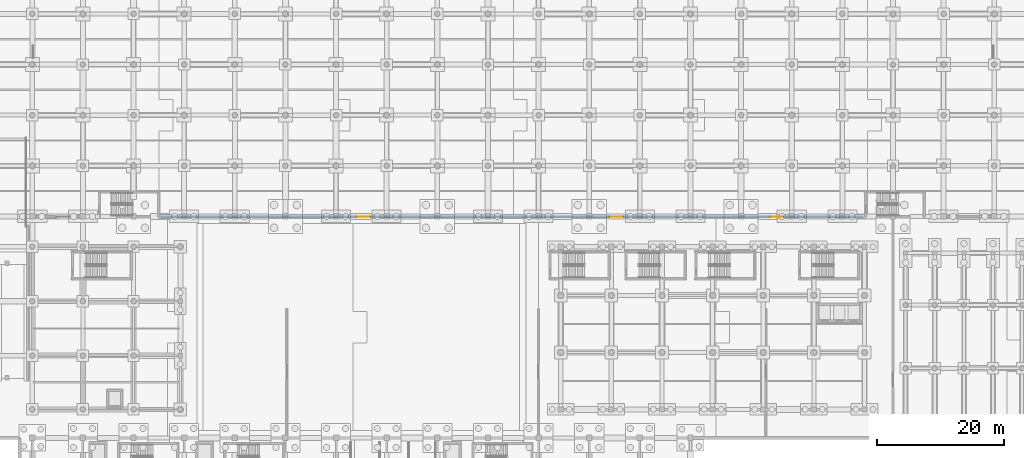
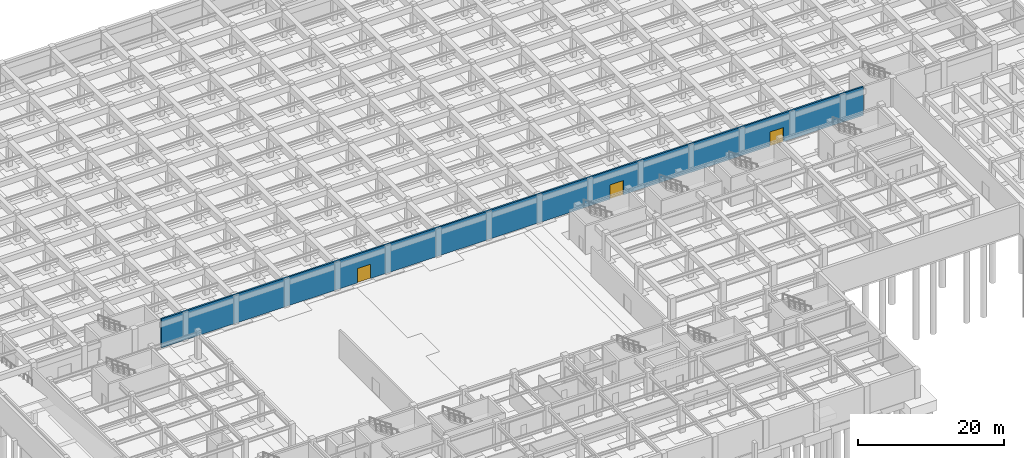
# One storey, part 33 of 48: 3 doors, 1 wall, 3 openings.
"""IFC4 building model written with IfcOpenShell, lengths in metres."""

from ifc_helpers import new_model, si_unit, direction, frame, frame_2d, origin, place, context, subcontext, project, spatial, rectangle, extrude, material, layer, layer_set, type_object, element, fill, save


model = new_model("IFC4")

# Units and contexts
model_context = context("Model", 3, precision=1e-05, world=origin(), true_north=direction((0.0, 1.0)))
body_context = subcontext(model_context, "Body", "Model", "MODEL_VIEW")
ifc_project = project(units=[si_unit("LENGTHUNIT", "METRE"), si_unit("AREAUNIT", "SQUARE_METRE"), si_unit("VOLUMEUNIT", "CUBIC_METRE"), si_unit("PLANEANGLEUNIT", "RADIAN"), si_unit("MASSUNIT", "GRAM", prefix="KILO")], contexts=[model_context])

# Site, building, storey
site_placement = place(None, origin())
site = spatial("IfcSite", under=ifc_project, at=site_placement, CompositionType="ELEMENT")
building_placement = place(site_placement, origin())
building = spatial("IfcBuilding", under=site, at=building_placement, Name="Tlacozan Convention Centre", CompositionType="ELEMENT")
storey_placement = place(building_placement, frame((0.0, 0.0, -4.800048828125)))
storey = spatial("IfcBuildingStorey", under=building, at=storey_placement, Name="B01", CompositionType="ELEMENT", Elevation=-4.800048828125)

# Wall, openings, doors
ifc_material_1 = material(Name="Concrete C40/50", Category="concrete")
ifc_layer = layer(ifc_material_1, 0.260009765625)
ifc_layer_set = layer_set([ifc_layer], Name="Concrete C40/50")
wall_type = type_object("IfcWallType", Name="Compartment Rated Wall RC 260", PredefinedType="SOLIDWALL", material=ifc_layer_set)
wall_placement = place(storey_placement, frame((28.27001953125, 61.93994140625, 0.0), z_axis=(0.0, 0.0, 1.0), x_axis=(1.0, 0.0, 0.0)))
wall = element("IfcWall", 1, at=wall_placement, inside=storey, type_object=wall_type, Name="B01 Compartment Rated Wall RC 260 564", PredefinedType="SOLIDWALL", context=body_context, shape_type="SweptSolid", body=[
    extrude(rectangle(XDim=111.06005859375, YDim=0.260009765625, at=frame_2d((55.530029296875, 0.0))), origin(), (0.0, 0.0, 1.0), 4.800048828125),
])
opening_1_placement = place(wall_placement, frame((31.0, 0.0, 0.0)))
opening_1 = element("IfcOpeningElement", 2, at=opening_1_placement, cuts=wall, Name="Opening FD-04", PredefinedType="OPENING", context=body_context, shape_type="SweptSolid", body=[
    extrude(rectangle(XDim=2.10009765625, YDim=2.39990234375, at=frame_2d((1.050048828125, 1.199951171875))), frame((0.0, 0.139892578125, 0.0), z_axis=(0.0, -1.0, 0.0), x_axis=(1.0, 0.0, 0.0)), (0.0, 0.0, 1.0), 0.280029296875),
])
opening_2_placement = place(wall_placement, frame((71.0, 0.0, 0.0)))
opening_2 = element("IfcOpeningElement", 3, at=opening_2_placement, cuts=wall, Name="Opening FD-04", PredefinedType="OPENING", context=body_context, shape_type="SweptSolid", body=[
    extrude(rectangle(XDim=2.10009765625, YDim=2.39990234375, at=frame_2d((1.050048828125, 1.199951171875))), frame((0.0, 0.139892578125, 0.0), z_axis=(0.0, -1.0, 0.0), x_axis=(1.0, 0.0, 0.0)), (0.0, 0.0, 1.0), 0.280029296875),
])
opening_3_placement = place(wall_placement, frame((96.300048828125, 0.0, 0.0)))
opening_3 = element("IfcOpeningElement", 4, at=opening_3_placement, cuts=wall, Name="Opening FD-04", PredefinedType="OPENING", context=body_context, shape_type="SweptSolid", body=[
    extrude(rectangle(XDim=2.10009765625, YDim=2.39990234375, at=frame_2d((1.050048828125, 1.199951171875))), frame((0.0, 0.139892578125, 0.0), z_axis=(0.0, -1.0, 0.0), x_axis=(1.0, 0.0, 0.0)), (0.0, 0.0, 1.0), 0.280029296875),
])
ifc_material_2 = material(Name="Fire-Rated Insulated Steel Door Leaf", Category="steel")
door_type = type_object("IfcDoorType", Name="Fire Door Compartment Double 2100x2400 FD90", OperationType="DOUBLE_DOOR_SINGLE_SWING", PredefinedType="DOOR", material=ifc_material_2)
door_1_placement = place(opening_1_placement, origin())
door_1 = element("IfcDoor", 5, at=door_1_placement, inside=storey, type_object=door_type, Name="B01 Fire Door Compartment Double 2100x2400 FD90 149", OperationType="DOUBLE_DOOR_SINGLE_SWING", OverallHeight=2.39990234375, OverallWidth=2.10009765625, PredefinedType="DOOR", context=body_context, shape_type="SweptSolid", body=[
    extrude(rectangle(XDim=2.10009765625, YDim=2.39990234375, at=frame_2d((1.050048828125, 1.199951171875))), frame((0.0, 0.02490234375, 0.0), z_axis=(0.0, -1.0, 0.0), x_axis=(1.0, 0.0, 0.0)), (0.0, 0.0, 1.0), 0.050048828125),
])
fill(opening_1, door_1)
door_2_placement = place(opening_2_placement, origin())
door_2 = element("IfcDoor", 6, at=door_2_placement, inside=storey, type_object=door_type, Name="B01 Fire Door Compartment Double 2100x2400 FD90 150", OperationType="DOUBLE_DOOR_SINGLE_SWING", OverallHeight=2.39990234375, OverallWidth=2.10009765625, PredefinedType="DOOR", context=body_context, shape_type="SweptSolid", body=[
    extrude(rectangle(XDim=2.10009765625, YDim=2.39990234375, at=frame_2d((1.050048828125, 1.199951171875))), frame((0.0, 0.02490234375, 0.0), z_axis=(0.0, -1.0, 0.0), x_axis=(1.0, 0.0, 0.0)), (0.0, 0.0, 1.0), 0.050048828125),
])
fill(opening_2, door_2)
door_3_placement = place(opening_3_placement, origin())
door_3 = element("IfcDoor", 7, at=door_3_placement, inside=storey, type_object=door_type, Name="B01 Fire Door Compartment Double 2100x2400 FD90 151", OperationType="DOUBLE_DOOR_SINGLE_SWING", OverallHeight=2.39990234375, OverallWidth=2.10009765625, PredefinedType="DOOR", context=body_context, shape_type="SweptSolid", body=[
    extrude(rectangle(XDim=2.10009765625, YDim=2.39990234375, at=frame_2d((1.050048828125, 1.199951171875))), frame((0.0, 0.02490234375, 0.0), z_axis=(0.0, -1.0, 0.0), x_axis=(1.0, 0.0, 0.0)), (0.0, 0.0, 1.0), 0.050048828125),
])
fill(opening_3, door_3)

save(model, "model.ifc")
